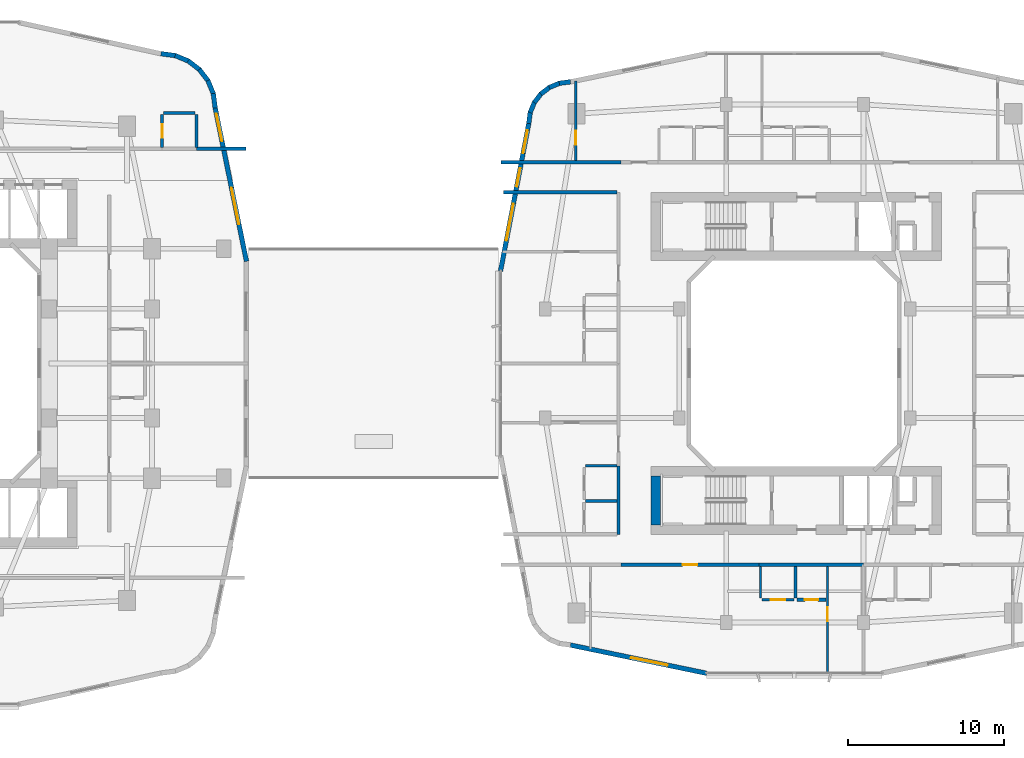
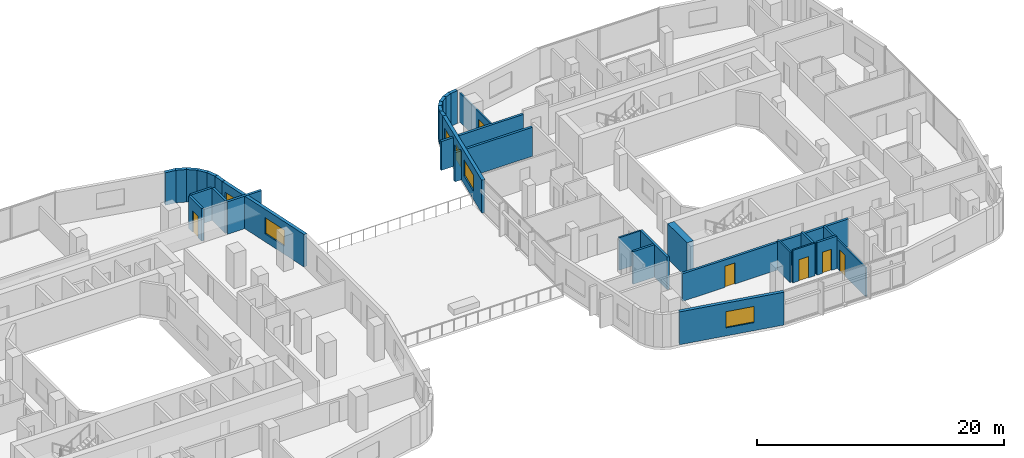
# One storey, part 16 of 25: 33 walls, 6 doors, 6 windows, 12 openings.
"""IFC4 building model written with IfcOpenShell, lengths in metres."""

from ifc_helpers import new_model, si_unit, derived_unit, direction, frame, frame_2d, origin, place, context, subcontext, project, spatial, rectangle, extrude, material, layer, layer_set, type_object, element, fill, save


model = new_model("IFC4")

# Units and contexts
model_context = context("Model", 3, precision=1e-05, world=origin(), true_north=direction((0.0, 1.0)))
body_context = subcontext(model_context, "Body", "Model", "MODEL_VIEW")
ifc_project = project(units=[si_unit("LENGTHUNIT", "METRE"), si_unit("AREAUNIT", "SQUARE_METRE"), si_unit("VOLUMEUNIT", "CUBIC_METRE"), si_unit("PLANEANGLEUNIT", "RADIAN"), si_unit("MASSUNIT", "GRAM", prefix="KILO"), derived_unit("THERMALTRANSMITTANCEUNIT", [(si_unit("POWERUNIT", "WATT"), 1), (si_unit("LENGTHUNIT", "METRE"), -2), (si_unit("THERMODYNAMICTEMPERATUREUNIT", "KELVIN"), -1)])], contexts=[model_context])

# Site, building, storey
site_placement = place(None, origin())
site = spatial("IfcSite", under=ifc_project, at=site_placement, CompositionType="ELEMENT")
building_placement = place(site_placement, origin())
building = spatial("IfcBuilding", under=site, at=building_placement, Name="Kivonza Crest Hotel", CompositionType="ELEMENT")
storey_placement = place(building_placement, frame((0.0, 0.0, 24.0)))
storey = spatial("IfcBuildingStorey", under=building, at=storey_placement, Name="L05", CompositionType="ELEMENT", Elevation=24.0)

# Walls
ifc_material_1 = material(Name="Autoclaved aerated concrete blockwork", Category="masonry")
ifc_layer_1 = layer(ifc_material_1, 0.219970703125)
ifc_layer_set_1 = layer_set([ifc_layer_1], Name="Autoclaved aerated concrete blockwork")
wall_type_1 = type_object("IfcWallType", Name="WL-ACOU-220", PredefinedType="SOLIDWALL", material=ifc_layer_set_1)
wall_1_placement = place(storey_placement, frame((38.64990234375, 38.75, 0.0), z_axis=(0.0, 0.0, 1.0), x_axis=(1.0, 0.0, 0.0)))
element("IfcWall", 1, at=wall_1_placement, inside=storey, type_object=wall_type_1, Name="L05 interior partition WA-L05-N02-XCORR", PredefinedType="SOLIDWALL", context=body_context, shape_type="SweptSolid", body=[
    extrude(rectangle(XDim=3.190185546875, YDim=0.219970703125, at=frame_2d((1.59521484375, 0.0))), origin(), (0.0, 0.0, 1.0), 3.219970703125),
])
wall_2_placement = place(storey_placement, frame((58.159912109375, 37.89990234375, 0.0), z_axis=(0.0, 0.0, 1.0), x_axis=(1.0, 0.0, 0.0)))
element("IfcWall", 2, at=wall_2_placement, inside=storey, type_object=wall_type_1, Name="L05 interior partition WA-L05-A01-LCORR", PredefinedType="SOLIDWALL", context=body_context, shape_type="SweptSolid", body=[
    extrude(rectangle(XDim=7.690185546875, YDim=0.219970703125, at=frame_2d((3.84521484375, 0.0))), origin(), (0.0, 0.0, 1.0), 2.864990234375),
])
wall_3_placement = place(storey_placement, frame((74.719970703125, 12.10009765625, 0.0), z_axis=(0.0, 0.0, 1.0), x_axis=(1.0, 0.0, 0.0)))
element("IfcWall", 3, at=wall_3_placement, inside=storey, type_object=wall_type_1, Name="L05 interior partition WA-L05-A03-RCORR", PredefinedType="SOLIDWALL", context=body_context, shape_type="SweptSolid", body=[
    extrude(rectangle(XDim=6.679931640625, YDim=0.219970703125, at=frame_2d((3.33984375, 0.0))), origin(), (0.0, 0.0, 1.0), 2.72509765625),
])

# Wall, opening, door
wall_4_placement = place(storey_placement, frame((65.85009765625, 12.10009765625, 0.0), z_axis=(0.0, 0.0, 1.0), x_axis=(1.0, 0.0, 0.0)))
wall_4 = element("IfcWall", 4, at=wall_4_placement, inside=storey, type_object=wall_type_1, Name="L05 interior partition WA-L05-A03-MCORR", PredefinedType="SOLIDWALL", context=body_context, shape_type="SweptSolid", body=[
    extrude(rectangle(XDim=8.869873046875, YDim=0.219970703125, at=frame_2d((4.43505859375, 0.0))), origin(), (0.0, 0.0, 1.0), 2.72509765625),
])
opening_1_placement = place(wall_4_placement, frame((3.9599609375, 0.0, 0.0)))
opening_1 = element("IfcOpeningElement", 5, at=opening_1_placement, cuts=wall_4, Name="Opening DU-60", PredefinedType="OPENING", context=body_context, shape_type="SweptSolid", body=[
    extrude(rectangle(XDim=0.949951171875, YDim=2.10009765625, at=frame_2d((0.47509765625, 1.050048828125))), frame((0.0, 0.1201171875, 0.0), z_axis=(0.0, -1.0, 0.0), x_axis=(1.0, 0.0, 0.0)), (0.0, 0.0, 1.0), 0.239990234375),
])
ifc_material_2 = material(Name="Hardwood timber oak", Category="wood")
door_type_1 = type_object("IfcDoorType", Name="DR-UNIT-950", OperationType="NOTDEFINED", PredefinedType="DOOR", material=ifc_material_2)
door_1_placement = place(opening_1_placement, frame((0.949951171875, 0.0, 0.0), z_axis=(0.0, 0.0, 1.0), x_axis=(-1.0, 0.0, 0.0)))
door_1 = element("IfcDoor", 6, at=door_1_placement, inside=storey, type_object=door_type_1, Name="L05 A03 apartment entrance fire door", OperationType="SINGLE_SWING_LEFT", OverallHeight=2.10009765625, OverallWidth=0.949951171875, PredefinedType="DOOR", context=body_context, shape_type="SweptSolid", body=[
    extrude(rectangle(XDim=0.949951171875, YDim=2.10009765625, at=frame_2d((0.47509765625, 1.050048828125))), frame((0.0, 0.02490234375, 0.0), z_axis=(0.0, -1.0, 0.0), x_axis=(1.0, 0.0, 0.0)), (0.0, 0.0, 1.0), 0.050048828125),
])
fill(opening_1, door_1)

# Walls
wall_5_placement = place(storey_placement, frame((58.320068359375, 35.9599609375, 0.0), z_axis=(0.0, 0.0, 1.0), x_axis=(1.0, 0.0, 0.0)))
element("IfcWall", 7, at=wall_5_placement, inside=storey, type_object=wall_type_1, Name="L05 interior partition WA-L05-T2W-ENDN", PredefinedType="SOLIDWALL", context=body_context, shape_type="SweptSolid", body=[
    extrude(rectangle(XDim=7.280029296875, YDim=0.219970703125, at=frame_2d((3.64013671875, 0.0))), origin(), (0.0, 0.0, 1.0), 2.864990234375),
])
wall_6_placement = place(storey_placement, frame((65.699951171875, 14.0400390625, 0.0), z_axis=(0.0, 0.0, 1.0), x_axis=(0.0, 1.0, 0.0)))
element("IfcWall", 8, at=wall_6_placement, inside=storey, type_object=wall_type_1, Name="L05 interior partition WA-L05-A05-BCORR", PredefinedType="SOLIDWALL", context=body_context, shape_type="SweptSolid", body=[
    extrude(rectangle(XDim=4.39990234375, YDim=0.219970703125, at=frame_2d((2.199951171875, 0.0))), origin(), (0.0, 0.0, 1.0), 3.219970703125),
])
ifc_material_3 = material(Name="Concrete C60/75", Category="concrete")
ifc_layer_2 = layer(ifc_material_3, 0.60009765625)
ifc_layer_set_2 = layer_set([ifc_layer_2], Name="Concrete C60/75")
wall_type_2 = type_object("IfcWallType", Name="WL-CORE-600", PredefinedType="SHEAR", material=ifc_layer_set_2)
wall_7_placement = place(storey_placement, frame((68.10009765625, 14.639892578125, 0.0), z_axis=(0.0, 0.0, 1.0), x_axis=(0.0, 1.0, 0.0)))
element("IfcWall", 9, at=wall_7_placement, inside=storey, type_object=wall_type_2, Name="Core wall T2-S West L05", PredefinedType="SHEAR", context=body_context, shape_type="SweptSolid", body=[
    extrude(rectangle(XDim=3.16015625, YDim=0.60009765625, at=frame_2d((1.580078125, 0.0))), origin(), (0.0, 0.0, 1.0), 3.5),
])

# Wall, openings, windows
ifc_material_4 = material(Name="Precast concrete C40/50", Category="concrete")
ifc_layer_3 = layer(ifc_material_4, 0.300048828125)
ifc_layer_set_3 = layer_set([ifc_layer_3], Name="Precast concrete C40/50")
wall_type_3 = type_object("IfcWallType", Name="WL-EXT-300", PredefinedType="STANDARD", material=ifc_layer_set_3)
wall_8_placement = place(storey_placement, frame((41.85791015625, 31.5458984375, 0.0), z_axis=(0.0, 0.0, 1.0), x_axis=(-0.19998861198, 0.979798221614, 0.0)))
wall_8 = element("IfcWall", 10, at=wall_8_placement, inside=storey, type_object=wall_type_3, Name="L05 T1 exterior insulated wall 18", PredefinedType="STANDARD", context=body_context, shape_type="SweptSolid", body=[
    extrude(rectangle(XDim=10.03466796875, YDim=0.300048828125, at=frame_2d((5.017333984375, 0.0))), origin(), (0.0, 0.0, 1.0), 3.219970703125),
])
opening_2_placement = place(wall_8_placement, frame((2.4140625, 0.0, 0.800048828125)))
opening_2 = element("IfcOpeningElement", 11, at=opening_2_placement, cuts=wall_8, Name="Opening WN-05", PredefinedType="OPENING", context=body_context, shape_type="SweptSolid", body=[
    extrude(rectangle(XDim=2.39990234375, YDim=1.60009765625, at=frame_2d((1.199951171875, 0.800048828125))), frame((0.0, 0.16015625, 0.0), z_axis=(0.0, -1.0, 0.0), x_axis=(1.0, 0.0, 0.0)), (0.0, 0.0, 1.0), 0.320068359375),
])
opening_3_placement = place(wall_8_placement, frame((7.85595703125, 0.0, 0.85009765625)))
opening_3 = element("IfcOpeningElement", 12, at=opening_3_placement, cuts=wall_8, Name="Opening WN-03", PredefinedType="OPENING", context=body_context, shape_type="SweptSolid", body=[
    extrude(rectangle(XDim=1.800048828125, YDim=1.5, at=frame_2d((0.89990234375, 0.75))), frame((0.0, 0.16015625, 0.0), z_axis=(0.0, -1.0, 0.0), x_axis=(1.0, 0.0, 0.0)), (0.0, 0.0, 1.0), 0.320068359375),
])
ifc_material_5 = material(Name="Thermally broken bronze aluminium and low-E double glazing", Category="aluminium")
window_type_1 = type_object("IfcWindowType", Name="WN-180x150", PartitioningType="DOUBLE_PANEL_VERTICAL", PredefinedType="WINDOW", material=ifc_material_5)
window_1_placement = place(opening_3_placement, origin())
window_1 = element("IfcWindow", 13, at=window_1_placement, inside=storey, type_object=window_type_1, Name="L05 T1 facade window 18 bay 2", OverallHeight=1.5, OverallWidth=1.800048828125, PartitioningType="SINGLE_PANEL", PredefinedType="WINDOW", context=body_context, shape_type="SweptSolid", body=[
    extrude(rectangle(XDim=1.800048828125, YDim=1.5, at=frame_2d((0.89990234375, 0.75))), frame((0.0, 0.030029296875, 0.0), z_axis=(0.0, -1.0, 0.0), x_axis=(1.0, 0.0, 0.0)), (0.0, 0.0, 1.0), 0.06005859375),
])
fill(opening_3, window_1)
window_type_2 = type_object("IfcWindowType", Name="WN-240x160", PartitioningType="TRIPLE_PANEL_VERTICAL", PredefinedType="WINDOW", material=ifc_material_5)
window_2_placement = place(opening_2_placement, origin())
window_2 = element("IfcWindow", 14, at=window_2_placement, inside=storey, type_object=window_type_2, Name="L05 T1 facade window 18 bay 1", OverallHeight=1.60009765625, OverallWidth=2.39990234375, PartitioningType="SINGLE_PANEL", PredefinedType="WINDOW", context=body_context, shape_type="SweptSolid", body=[
    extrude(rectangle(XDim=2.39990234375, YDim=1.60009765625, at=frame_2d((1.199951171875, 0.800048828125))), frame((0.0, 0.030029296875, 0.0), z_axis=(0.0, -1.0, 0.0), x_axis=(1.0, 0.0, 0.0)), (0.0, 0.0, 1.0), 0.06005859375),
])
fill(opening_2, window_2)

# Walls
wall_9_placement = place(storey_placement, frame((39.85205078125, 41.3720703125, 0.0), z_axis=(0.0, 0.0, 1.0), x_axis=(-0.131174864804, 0.991359246108, 0.0)))
element("IfcWall", 15, at=wall_9_placement, inside=storey, type_object=wall_type_3, Name="L05 T1 exterior insulated wall 19", PredefinedType="STANDARD", context=body_context, shape_type="SweptSolid", body=[
    extrude(rectangle(XDim=0.93798828125, YDim=0.300048828125, at=frame_2d((0.468994140625, 0.0))), origin(), (0.0, 0.0, 1.0), 3.219970703125),
])
wall_10_placement = place(storey_placement, frame((39.748046875, 42.251953125, 0.0), z_axis=(0.0, 0.0, 1.0), x_axis=(-0.382344263057, 0.924019948111, 0.0)))
element("IfcWall", 16, at=wall_10_placement, inside=storey, type_object=wall_type_3, Name="L05 T1 exterior insulated wall 20", PredefinedType="STANDARD", context=body_context, shape_type="SweptSolid", body=[
    extrude(rectangle(XDim=0.95458984375, YDim=0.300048828125, at=frame_2d((0.477294921875, 0.0))), origin(), (0.0, 0.0, 1.0), 3.219970703125),
])
wall_11_placement = place(storey_placement, frame((39.4140625, 43.089111328125, 0.0), z_axis=(0.0, 0.0, 1.0), x_axis=(-0.608474481025, 0.793573440799, 0.0)))
element("IfcWall", 17, at=wall_11_placement, inside=storey, type_object=wall_type_3, Name="L05 T1 exterior insulated wall 21", PredefinedType="STANDARD", context=body_context, shape_type="SweptSolid", body=[
    extrude(rectangle(XDim=0.954833984375, YDim=0.300048828125, at=frame_2d((0.4775390625, 0.0))), origin(), (0.0, 0.0, 1.0), 3.219970703125),
])
wall_12_placement = place(storey_placement, frame((38.875, 43.81201171875, 0.0), z_axis=(0.0, 0.0, 1.0), x_axis=(-0.793668068435, 0.608351047625, 0.0)))
element("IfcWall", 18, at=wall_12_placement, inside=storey, type_object=wall_type_3, Name="L05 T1 exterior insulated wall 22", PredefinedType="STANDARD", context=body_context, shape_type="SweptSolid", body=[
    extrude(rectangle(XDim=0.955078125, YDim=0.300048828125, at=frame_2d((0.4775390625, 0.0))), origin(), (0.0, 0.0, 1.0), 3.219970703125),
])
wall_13_placement = place(storey_placement, frame((38.166015625, 44.368896484375, 0.0), z_axis=(0.0, 0.0, 1.0), x_axis=(-0.924019948111, 0.382344263057, 0.0)))
element("IfcWall", 19, at=wall_13_placement, inside=storey, type_object=wall_type_3, Name="L05 T1 exterior insulated wall 23", PredefinedType="STANDARD", context=body_context, shape_type="SweptSolid", body=[
    extrude(rectangle(XDim=0.95458984375, YDim=0.300048828125, at=frame_2d((0.477294921875, 0.0))), origin(), (0.0, 0.0, 1.0), 3.219970703125),
])
wall_14_placement = place(storey_placement, frame((37.3369140625, 44.72509765625, 0.0), z_axis=(0.0, 0.0, 1.0), x_axis=(-0.991454295543, 0.130454512571, 0.0)))
element("IfcWall", 20, at=wall_14_placement, inside=storey, type_object=wall_type_3, Name="L05 T1 exterior insulated wall 24", PredefinedType="STANDARD", context=body_context, shape_type="SweptSolid", body=[
    extrude(rectangle(XDim=0.97314453125, YDim=0.300048828125, at=frame_2d((0.486572265625, 0.0))), origin(), (0.0, 0.0, 1.0), 3.219970703125),
])

# Wall, opening, window
wall_15_placement = place(storey_placement, frame((62.6220703125, 6.948974609375, 0.0), z_axis=(0.0, 0.0, 1.0), x_axis=(0.979127260729, -0.203248142175, 0.0)))
wall_15 = element("IfcWall", 21, at=wall_15_placement, inside=storey, type_object=wall_type_3, Name="L05 T2 exterior insulated wall 7", PredefinedType="STANDARD", context=body_context, shape_type="SweptSolid", body=[
    extrude(rectangle(XDim=8.920166015625, YDim=0.300048828125, at=frame_2d((4.4599609375, 0.0))), origin(), (0.0, 0.0, 1.0), 3.25),
])
opening_4_placement = place(wall_15_placement, frame((3.95703125, 0.0, 0.800048828125)))
opening_4 = element("IfcOpeningElement", 22, at=opening_4_placement, cuts=wall_15, Name="Opening WN-05", PredefinedType="OPENING", context=body_context, shape_type="SweptSolid", body=[
    extrude(rectangle(XDim=2.39990234375, YDim=1.60009765625, at=frame_2d((1.199951171875, 0.800048828125))), frame((0.0, 0.16015625, 0.0), z_axis=(0.0, -1.0, 0.0), x_axis=(1.0, 0.0, 0.0)), (0.0, 0.0, 1.0), 0.320068359375),
])
window_3_placement = place(opening_4_placement, origin())
window_3 = element("IfcWindow", 23, at=window_3_placement, inside=storey, type_object=window_type_2, Name="L05 T2 facade window 7", OverallHeight=1.60009765625, OverallWidth=2.39990234375, PartitioningType="SINGLE_PANEL", PredefinedType="WINDOW", context=body_context, shape_type="SweptSolid", body=[
    extrude(rectangle(XDim=2.39990234375, YDim=1.60009765625, at=frame_2d((1.199951171875, 0.800048828125))), frame((0.0, 0.030029296875, 0.0), z_axis=(0.0, -1.0, 0.0), x_axis=(1.0, 0.0, 0.0)), (0.0, 0.0, 1.0), 0.06005859375),
])
fill(opening_4, window_3)

# Walls
wall_16_placement = place(storey_placement, frame((62.626953125, 43.052001953125, 0.0), z_axis=(0.0, 0.0, 1.0), x_axis=(-0.991480488834, -0.130255288807, 0.0)))
element("IfcWall", 24, at=wall_16_placement, inside=storey, type_object=wall_type_3, Name="L05 T2 exterior insulated wall 28", PredefinedType="STANDARD", context=body_context, shape_type="SweptSolid", body=[
    extrude(rectangle(XDim=0.72900390625, YDim=0.300048828125, at=frame_2d((0.364501953125, 0.0))), origin(), (0.0, 0.0, 1.0), 3.25),
])
for number, where, z_axis, x_axis, name in (
    (25, (61.955078125, 42.97607421875, 0.0), (0.0, 0.0, 1.0), (-0.923521684703, -0.383546213491, 0.0), "L05 T2 exterior insulated wall 29"),
    (26, (61.31103515625, 42.720947265625, 0.0), (0.0, 0.0, 1.0), (-0.79363269798, -0.608397189915, 0.0), "L05 T2 exterior insulated wall 30"),
    (27, (60.75390625, 42.30908203125, 0.0), (0.0, 0.0, 1.0), (-0.608397189915, -0.79363269798, 0.0), "L05 T2 exterior insulated wall 31"),
    (28, (60.323974609375, 41.76611328125, 0.0), (0.0, 0.0, 1.0), (-0.383151213466, -0.923685632463, 0.0), "L05 T2 exterior insulated wall 32"),
):
    element("IfcWall", number, at=place(storey_placement, frame(where, z_axis=z_axis, x_axis=x_axis)), inside=storey, type_object=wall_type_3, Name=name, PredefinedType="STANDARD", context=body_context, shape_type="SweptSolid", body=[
        extrude(rectangle(XDim=0.74609375, YDim=0.300048828125, at=frame_2d((0.373046875, 0.0))), origin(), (0.0, 0.0, 1.0), 3.25),
    ])
wall_17_placement = place(storey_placement, frame((60.047119140625, 41.131103515625, 0.0), z_axis=(0.0, 0.0, 1.0), x_axis=(-0.129653178221, -0.991559404866, 0.0)))
element("IfcWall", 29, at=wall_17_placement, inside=storey, type_object=wall_type_3, Name="L05 T2 exterior insulated wall 33", PredefinedType="STANDARD", context=body_context, shape_type="SweptSolid", body=[
    extrude(rectangle(XDim=0.764404296875, YDim=0.300048828125, at=frame_2d((0.38232421875, 0.0))), origin(), (0.0, 0.0, 1.0), 3.25),
])

# Wall, openings, windows
wall_18_placement = place(storey_placement, frame((59.948974609375, 40.3798828125, 0.0), z_axis=(0.0, 0.0, 1.0), x_axis=(-0.188087874316, -0.982152203854, 0.0)))
wall_18 = element("IfcWall", 30, at=wall_18_placement, inside=storey, type_object=wall_type_3, Name="L05 T2 exterior insulated wall 34", PredefinedType="STANDARD", context=body_context, shape_type="SweptSolid", body=[
    extrude(rectangle(XDim=9.6337890625, YDim=0.300048828125, at=frame_2d((4.81689453125, 0.0))), origin(), (0.0, 0.0, 1.0), 3.25),
])
opening_5_placement = place(wall_18_placement, frame((0.451904296875, 0.0, 0.85009765625)))
opening_5 = element("IfcOpeningElement", 31, at=opening_5_placement, cuts=wall_18, Name="Opening WN-02", PredefinedType="OPENING", context=body_context, shape_type="SweptSolid", body=[
    extrude(rectangle(XDim=1.5, YDim=1.5, at=frame_2d((0.75, 0.75))), frame((0.0, 0.16015625, 0.0), z_axis=(0.0, -1.0, 0.0), x_axis=(1.0, 0.0, 0.0)), (0.0, 0.0, 1.0), 0.320068359375),
])
opening_6_placement = place(wall_18_placement, frame((2.9130859375, 0.0, 0.85009765625)))
opening_6 = element("IfcOpeningElement", 32, at=opening_6_placement, cuts=wall_18, Name="Opening WN-01", PredefinedType="OPENING", context=body_context, shape_type="SweptSolid", body=[
    extrude(rectangle(XDim=1.199951171875, YDim=1.5, at=frame_2d((0.60009765625, 0.75))), frame((0.0, 0.16015625, 0.0), z_axis=(0.0, -1.0, 0.0), x_axis=(1.0, 0.0, 0.0)), (0.0, 0.0, 1.0), 0.320068359375),
])
opening_7_placement = place(wall_18_placement, frame((5.235107421875, 0.0, 0.800048828125)))
opening_7 = element("IfcOpeningElement", 33, at=opening_7_placement, cuts=wall_18, Name="Opening WN-05", PredefinedType="OPENING", context=body_context, shape_type="SweptSolid", body=[
    extrude(rectangle(XDim=2.39990234375, YDim=1.60009765625, at=frame_2d((1.199951171875, 0.800048828125))), frame((0.0, 0.16015625, 0.0), z_axis=(0.0, -1.0, 0.0), x_axis=(1.0, 0.0, 0.0)), (0.0, 0.0, 1.0), 0.320068359375),
])
window_type_3 = type_object("IfcWindowType", Name="WN-120x150", PartitioningType="SINGLE_PANEL", PredefinedType="WINDOW", material=ifc_material_5)
window_4_placement = place(opening_6_placement, origin())
window_4 = element("IfcWindow", 34, at=window_4_placement, inside=storey, type_object=window_type_3, Name="L05 T2 facade window 34 bay 2", OverallHeight=1.5, OverallWidth=1.199951171875, PartitioningType="SINGLE_PANEL", PredefinedType="WINDOW", context=body_context, shape_type="SweptSolid", body=[
    extrude(rectangle(XDim=1.199951171875, YDim=1.5, at=frame_2d((0.60009765625, 0.75))), frame((0.0, 0.030029296875, 0.0), z_axis=(0.0, -1.0, 0.0), x_axis=(1.0, 0.0, 0.0)), (0.0, 0.0, 1.0), 0.06005859375),
])
fill(opening_6, window_4)
window_type_4 = type_object("IfcWindowType", Name="WN-150x150", PartitioningType="DOUBLE_PANEL_VERTICAL", PredefinedType="WINDOW", material=ifc_material_5)
window_5_placement = place(opening_5_placement, origin())
window_5 = element("IfcWindow", 35, at=window_5_placement, inside=storey, type_object=window_type_4, Name="L05 T2 facade window 34 bay 1", OverallHeight=1.5, OverallWidth=1.5, PartitioningType="SINGLE_PANEL", PredefinedType="WINDOW", context=body_context, shape_type="SweptSolid", body=[
    extrude(rectangle(XDim=1.5, YDim=1.5, at=frame_2d((0.75, 0.75))), frame((0.0, 0.030029296875, 0.0), z_axis=(0.0, -1.0, 0.0), x_axis=(1.0, 0.0, 0.0)), (0.0, 0.0, 1.0), 0.06005859375),
])
fill(opening_5, window_5)
window_6_placement = place(opening_7_placement, origin())
window_6 = element("IfcWindow", 36, at=window_6_placement, inside=storey, type_object=window_type_2, Name="L05 T2 facade window 34 bay 3", OverallHeight=1.60009765625, OverallWidth=2.39990234375, PartitioningType="SINGLE_PANEL", PredefinedType="WINDOW", context=body_context, shape_type="SweptSolid", body=[
    extrude(rectangle(XDim=2.39990234375, YDim=1.60009765625, at=frame_2d((1.199951171875, 0.800048828125))), frame((0.0, 0.030029296875, 0.0), z_axis=(0.0, -1.0, 0.0), x_axis=(1.0, 0.0, 0.0)), (0.0, 0.0, 1.0), 0.06005859375),
])
fill(opening_7, window_6)

# Wall, opening, door
ifc_material_6 = material(Name="Twin-stud acoustic gypsum board partition", Category="gypsum")
ifc_layer_4 = layer(ifc_material_6, 0.14990234375)
ifc_layer_set_4 = layer_set([ifc_layer_4], Name="Twin-stud acoustic gypsum board partition")
wall_type_4 = type_object("IfcWallType", Name="WL-PART-150", PredefinedType="PARTITIONING", material=ifc_layer_set_4)
wall_19_placement = place(storey_placement, frame((62.9599609375, 38.0, 0.0), z_axis=(0.0, 0.0, 1.0), x_axis=(0.0, 1.0, 0.0)))
wall_19 = element("IfcWall", 37, at=wall_19_placement, inside=storey, type_object=wall_type_4, Name="L05 interior partition WP-L05-A01-BDW1", PredefinedType="PARTITIONING", context=body_context, shape_type="SweptSolid", body=[
    extrude(rectangle(XDim=5.113037109375, YDim=0.14990234375, at=frame_2d((2.556640625, 0.0))), origin(), (0.0, 0.0, 1.0), 2.864990234375),
])
opening_8_placement = place(wall_19_placement, frame((1.030029296875, 0.0, 0.0)))
opening_8 = element("IfcOpeningElement", 38, at=opening_8_placement, cuts=wall_19, Name="Opening DI-90", PredefinedType="OPENING", context=body_context, shape_type="SweptSolid", body=[
    extrude(rectangle(XDim=0.89990234375, YDim=2.10009765625, at=frame_2d((0.449951171875, 1.050048828125))), frame((0.0, 0.0849609375, 0.0), z_axis=(0.0, -1.0, 0.0), x_axis=(1.0, 0.0, 0.0)), (0.0, 0.0, 1.0), 0.169921875),
])
door_type_2 = type_object("IfcDoorType", Name="DR-INT-900", OperationType="NOTDEFINED", PredefinedType="DOOR", material=ifc_material_2)
door_2_placement = place(opening_8_placement, origin())
door_2 = element("IfcDoor", 39, at=door_2_placement, inside=storey, type_object=door_type_2, Name="L05 A01 bedroom 1 door", OperationType="SINGLE_SWING_RIGHT", OverallHeight=2.10009765625, OverallWidth=0.89990234375, PredefinedType="DOOR", context=body_context, shape_type="SweptSolid", body=[
    extrude(rectangle(XDim=0.89990234375, YDim=2.10009765625, at=frame_2d((0.449951171875, 1.050048828125))), frame((0.0, 0.02490234375, 0.0), z_axis=(0.0, -1.0, 0.0), x_axis=(1.0, 0.0, 0.0)), (0.0, 0.0, 1.0), 0.050048828125),
])
fill(opening_8, door_2)

wall_20_placement = place(storey_placement, frame((79.10009765625, 5.159912109375, 0.0), z_axis=(0.0, 0.0, 1.0), x_axis=(0.0, 1.0, 0.0)))
wall_20 = element("IfcWall", 40, at=wall_20_placement, inside=storey, type_object=wall_type_4, Name="L05 interior partition WP-L05-A03-BDW2", PredefinedType="PARTITIONING", context=body_context, shape_type="SweptSolid", body=[
    extrude(rectangle(XDim=6.840087890625, YDim=0.14990234375, at=frame_2d((3.419921875, 0.0))), origin(), (0.0, 0.0, 1.0), 2.864990234375),
])
opening_9_placement = place(wall_20_placement, frame((3.31005859375, 0.0, 0.0)))
opening_9 = element("IfcOpeningElement", 41, at=opening_9_placement, cuts=wall_20, Name="Opening DI-90", PredefinedType="OPENING", context=body_context, shape_type="SweptSolid", body=[
    extrude(rectangle(XDim=0.89990234375, YDim=2.10009765625, at=frame_2d((0.449951171875, 1.050048828125))), frame((0.0, 0.0849609375, 0.0), z_axis=(0.0, -1.0, 0.0), x_axis=(1.0, 0.0, 0.0)), (0.0, 0.0, 1.0), 0.169921875),
])
door_3_placement = place(opening_9_placement, origin())
door_3 = element("IfcDoor", 42, at=door_3_placement, inside=storey, type_object=door_type_2, Name="L05 A03 bedroom 2 door", OperationType="SINGLE_SWING_LEFT", OverallHeight=2.10009765625, OverallWidth=0.89990234375, PredefinedType="DOOR", context=body_context, shape_type="SweptSolid", body=[
    extrude(rectangle(XDim=0.89990234375, YDim=2.10009765625, at=frame_2d((0.449951171875, 1.050048828125))), frame((0.0, 0.02490234375, 0.0), z_axis=(0.0, -1.0, 0.0), x_axis=(1.0, 0.0, 0.0)), (0.0, 0.0, 1.0), 0.050048828125),
])
fill(opening_9, door_3)

# Wall
wall_21_placement = place(storey_placement, frame((74.800048828125, 9.949951171875, 0.0), z_axis=(0.0, 0.0, 1.0), x_axis=(0.0, 1.0, 0.0)))
element("IfcWall", 43, at=wall_21_placement, inside=storey, type_object=wall_type_4, Name="L05 interior partition WP-L05-A03-KF", PredefinedType="PARTITIONING", context=body_context, shape_type="SweptSolid", body=[
    extrude(rectangle(XDim=2.050048828125, YDim=0.14990234375, at=frame_2d((1.02490234375, 0.0))), origin(), (0.0, 0.0, 1.0), 2.985107421875),
])

# Wall, opening, door
wall_22_placement = place(storey_placement, frame((74.89990234375, 9.85009765625, 0.0), z_axis=(0.0, 0.0, 1.0), x_axis=(1.0, 0.0, 0.0)))
wall_22 = element("IfcWall", 44, at=wall_22_placement, inside=storey, type_object=wall_type_4, Name="L05 interior partition WP-L05-A03-KSVC", PredefinedType="PARTITIONING", context=body_context, shape_type="SweptSolid", body=[
    extrude(rectangle(XDim=2.050048828125, YDim=0.14990234375, at=frame_2d((1.02490234375, 0.0))), origin(), (0.0, 0.0, 1.0), 3.219970703125),
])
opening_10_placement = place(wall_22_placement, frame((0.574951171875, 0.0, 0.0)))
opening_10 = element("IfcOpeningElement", 45, at=opening_10_placement, cuts=wall_22, Name="Opening DI-90", PredefinedType="OPENING", context=body_context, shape_type="SweptSolid", body=[
    extrude(rectangle(XDim=0.89990234375, YDim=2.10009765625, at=frame_2d((0.449951171875, 1.050048828125))), frame((0.0, 0.0849609375, 0.0), z_axis=(0.0, -1.0, 0.0), x_axis=(1.0, 0.0, 0.0)), (0.0, 0.0, 1.0), 0.169921875),
])
door_4_placement = place(opening_10_placement, frame((0.89990234375, 0.0, 0.0), z_axis=(0.0, 0.0, 1.0), x_axis=(-1.0, 0.0, 0.0)))
door_4 = element("IfcDoor", 46, at=door_4_placement, inside=storey, type_object=door_type_2, Name="L05 A03 apartment kitchen door", OperationType="SINGLE_SWING_LEFT", OverallHeight=2.10009765625, OverallWidth=0.89990234375, PredefinedType="DOOR", context=body_context, shape_type="SweptSolid", body=[
    extrude(rectangle(XDim=0.89990234375, YDim=2.10009765625, at=frame_2d((0.449951171875, 1.050048828125))), frame((0.0, 0.02490234375, 0.0), z_axis=(0.0, -1.0, 0.0), x_axis=(1.0, 0.0, 0.0)), (0.0, 0.0, 1.0), 0.050048828125),
])
fill(opening_10, door_4)

# Wall
wall_23_placement = place(storey_placement, frame((63.60009765625, 18.43994140625, 0.0), z_axis=(0.0, 0.0, 1.0), x_axis=(1.0, 0.0, 0.0)))
element("IfcWall", 47, at=wall_23_placement, inside=storey, type_object=wall_type_4, Name="L05 interior partition WP-L05-A05-KF", PredefinedType="PARTITIONING", context=body_context, shape_type="SweptSolid", body=[
    extrude(rectangle(XDim=2.0, YDim=0.14990234375, at=frame_2d((1.0, 0.0))), origin(), (0.0, 0.0, 1.0), 3.219970703125),
])

# Wall, opening, door
ifc_material_7 = material(Name="Moisture-resistant plumbing chase partition wall", Category="gypsum")
ifc_layer_5 = layer(ifc_material_7, 0.199951171875)
ifc_layer_set_5 = layer_set([ifc_layer_5], Name="Moisture-resistant plumbing chase partition wall")
wall_type_5 = type_object("IfcWallType", Name="WL-PLUMB-200", PredefinedType="PLUMBINGWALL", material=ifc_layer_set_5)
wall_24_placement = place(storey_placement, frame((36.449951171875, 38.85009765625, 0.0), z_axis=(0.0, 0.0, 1.0), x_axis=(0.0, 1.0, 0.0)))
wall_24 = element("IfcWall", 48, at=wall_24_placement, inside=storey, type_object=wall_type_5, Name="L05 interior partition WW-L05-N02-BV", PredefinedType="PLUMBINGWALL", context=body_context, shape_type="SweptSolid", body=[
    extrude(rectangle(XDim=2.099853515625, YDim=0.199951171875, at=frame_2d((1.0498046875, 0.0))), origin(), (0.0, 0.0, 1.0), 3.219970703125),
])
opening_11_placement = place(wall_24_placement, frame((0.625, 0.0, 0.0)))
opening_11 = element("IfcOpeningElement", 49, at=opening_11_placement, cuts=wall_24, Name="Opening DI-85", PredefinedType="OPENING", context=body_context, shape_type="SweptSolid", body=[
    extrude(rectangle(XDim=0.85009765625, YDim=2.10009765625, at=frame_2d((0.425048828125, 1.050048828125))), frame((0.0, 0.10986328125, 0.0), z_axis=(0.0, -1.0, 0.0), x_axis=(1.0, 0.0, 0.0)), (0.0, 0.0, 1.0), 0.219970703125),
])
door_type_3 = type_object("IfcDoorType", Name="DR-INT-850", OperationType="NOTDEFINED", PredefinedType="DOOR", material=ifc_material_2)
door_5_placement = place(opening_11_placement, origin())
door_5 = element("IfcDoor", 50, at=door_5_placement, inside=storey, type_object=door_type_3, Name="L05 N02 en-suite bathroom door", OperationType="SINGLE_SWING_LEFT", OverallHeight=2.10009765625, OverallWidth=0.85009765625, PredefinedType="DOOR", context=body_context, shape_type="SweptSolid", body=[
    extrude(rectangle(XDim=0.85009765625, YDim=2.10009765625, at=frame_2d((0.425048828125, 1.050048828125))), frame((0.0, 0.02490234375, 0.0), z_axis=(0.0, -1.0, 0.0), x_axis=(1.0, 0.0, 0.0)), (0.0, 0.0, 1.0), 0.050048828125),
])
fill(opening_11, door_5)

# Walls
wall_25_placement = place(storey_placement, frame((36.550048828125, 41.050048828125, 0.0), z_axis=(0.0, 0.0, 1.0), x_axis=(1.0, 0.0, 0.0)))
element("IfcWall", 51, at=wall_25_placement, inside=storey, type_object=wall_type_5, Name="L05 interior partition WW-L05-N02-BH", PredefinedType="PLUMBINGWALL", context=body_context, shape_type="SweptSolid", body=[
    extrude(rectangle(XDim=2.0, YDim=0.199951171875, at=frame_2d((1.0, 0.0))), origin(), (0.0, 0.0, 1.0), 3.219970703125),
])
wall_26_placement = place(storey_placement, frame((38.64990234375, 38.85009765625, 0.0), z_axis=(0.0, 0.0, 1.0), x_axis=(0.0, 1.0, 0.0)))
element("IfcWall", 52, at=wall_26_placement, inside=storey, type_object=wall_type_5, Name="L05 interior partition WW-L05-N02-BVE", PredefinedType="PLUMBINGWALL", context=body_context, shape_type="SweptSolid", body=[
    extrude(rectangle(XDim=2.099853515625, YDim=0.199951171875, at=frame_2d((1.0498046875, 0.0))), origin(), (0.0, 0.0, 1.0), 3.219970703125),
])
wall_27_placement = place(storey_placement, frame((77.050048828125, 9.949951171875, 0.0), z_axis=(0.0, 0.0, 1.0), x_axis=(0.0, 1.0, 0.0)))
element("IfcWall", 53, at=wall_27_placement, inside=storey, type_object=wall_type_5, Name="L05 interior partition WW-L05-A03-BK", PredefinedType="PLUMBINGWALL", context=body_context, shape_type="SweptSolid", body=[
    extrude(rectangle(XDim=2.050048828125, YDim=0.199951171875, at=frame_2d((1.02490234375, 0.0))), origin(), (0.0, 0.0, 1.0), 2.985107421875),
])

# Wall, opening, door
wall_28_placement = place(storey_placement, frame((77.14990234375, 9.85009765625, 0.0), z_axis=(0.0, 0.0, 1.0), x_axis=(1.0, 0.0, 0.0)))
wall_28 = element("IfcWall", 54, at=wall_28_placement, inside=storey, type_object=wall_type_5, Name="L05 interior partition WW-L05-A03-BSVC", PredefinedType="PLUMBINGWALL", context=body_context, shape_type="SweptSolid", body=[
    extrude(rectangle(XDim=1.85009765625, YDim=0.199951171875, at=frame_2d((0.925048828125, 0.0))), origin(), (0.0, 0.0, 1.0), 3.219970703125),
])
opening_12_placement = place(wall_28_placement, frame((0.5, 0.0, 0.0)))
opening_12 = element("IfcOpeningElement", 55, at=opening_12_placement, cuts=wall_28, Name="Opening DI-85", PredefinedType="OPENING", context=body_context, shape_type="SweptSolid", body=[
    extrude(rectangle(XDim=0.85009765625, YDim=2.10009765625, at=frame_2d((0.425048828125, 1.050048828125))), frame((0.0, 0.10986328125, 0.0), z_axis=(0.0, -1.0, 0.0), x_axis=(1.0, 0.0, 0.0)), (0.0, 0.0, 1.0), 0.219970703125),
])
door_6_placement = place(opening_12_placement, frame((0.85009765625, 0.0, 0.0), z_axis=(0.0, 0.0, 1.0), x_axis=(-1.0, 0.0, 0.0)))
door_6 = element("IfcDoor", 56, at=door_6_placement, inside=storey, type_object=door_type_3, Name="L05 A03 apartment bathroom door", OperationType="SINGLE_SWING_RIGHT", OverallHeight=2.10009765625, OverallWidth=0.85009765625, PredefinedType="DOOR", context=body_context, shape_type="SweptSolid", body=[
    extrude(rectangle(XDim=0.85009765625, YDim=2.10009765625, at=frame_2d((0.425048828125, 1.050048828125))), frame((0.0, 0.02490234375, 0.0), z_axis=(0.0, -1.0, 0.0), x_axis=(1.0, 0.0, 0.0)), (0.0, 0.0, 1.0), 0.050048828125),
])
fill(opening_12, door_6)

# Wall
wall_29_placement = place(storey_placement, frame((63.60009765625, 16.18994140625, 0.0), z_axis=(0.0, 0.0, 1.0), x_axis=(1.0, 0.0, 0.0)))
element("IfcWall", 57, at=wall_29_placement, inside=storey, type_object=wall_type_5, Name="L05 interior partition WW-L05-A05-BK", PredefinedType="PLUMBINGWALL", context=body_context, shape_type="SweptSolid", body=[
    extrude(rectangle(XDim=2.0, YDim=0.199951171875, at=frame_2d((1.0, 0.0))), origin(), (0.0, 0.0, 1.0), 3.219970703125),
])

save(model, "model.ifc")
